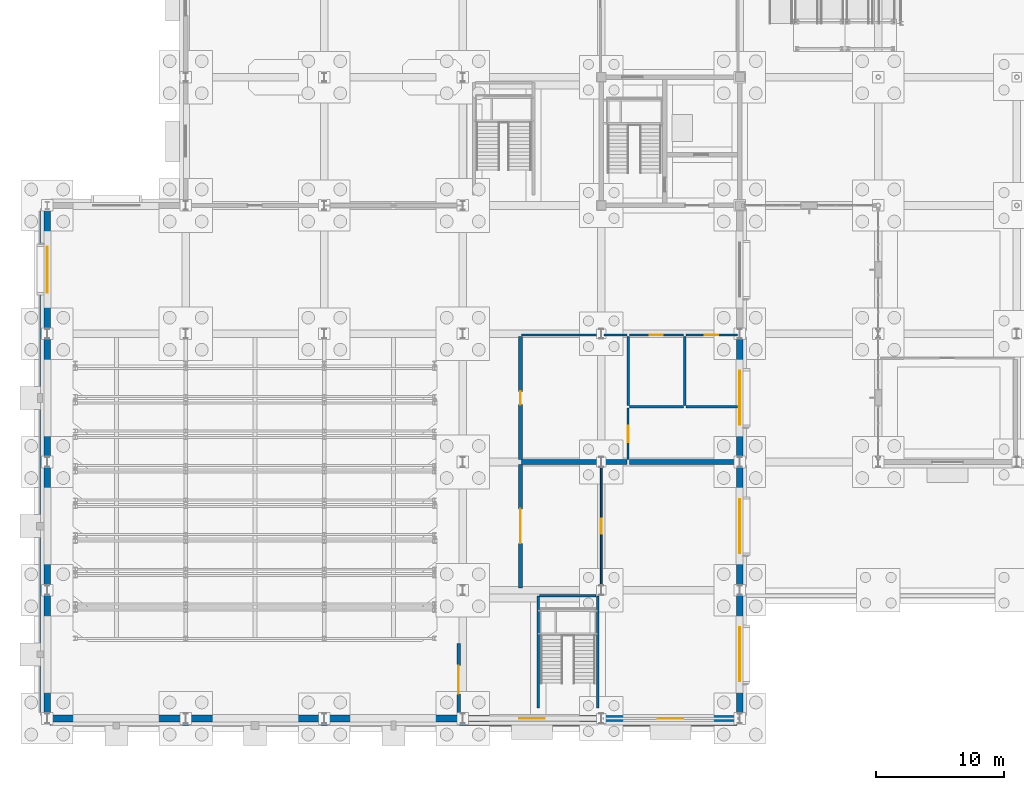
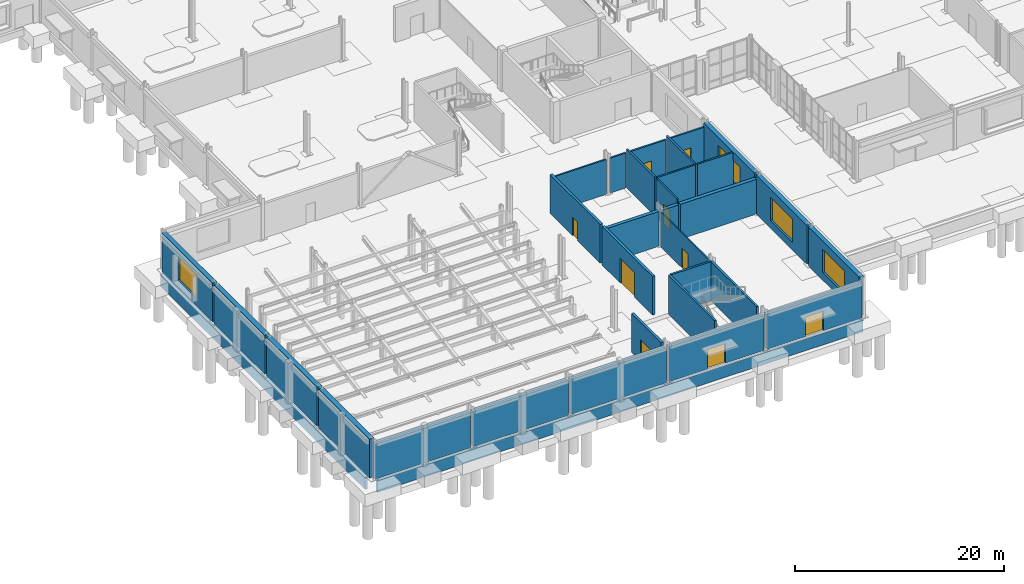
# One storey, part 51 of 73: 33 walls, 9 doors, 4 windows, 13 openings.
"""IFC4 building model written with IfcOpenShell, lengths in metres."""

from ifc_helpers import new_model, si_unit, direction, frame, frame_2d, origin, place, context, subcontext, project, spatial, rectangle, extrude, material, layer, layer_set, type_object, element, fill, save


model = new_model("IFC4")

# Units and contexts
model_context = context("Model", 3, precision=1e-05, world=origin(), true_north=direction((0.0, 1.0)))
body_context = subcontext(model_context, "Body", "Model", "MODEL_VIEW")
ifc_project = project(units=[si_unit("LENGTHUNIT", "METRE"), si_unit("AREAUNIT", "SQUARE_METRE"), si_unit("VOLUMEUNIT", "CUBIC_METRE"), si_unit("PLANEANGLEUNIT", "RADIAN"), si_unit("MASSUNIT", "GRAM", prefix="KILO")], contexts=[model_context])

# Site, building, storey
site_placement = place(None, origin())
site = spatial("IfcSite", under=ifc_project, at=site_placement, CompositionType="ELEMENT")
building_placement = place(site_placement, origin())
building = spatial("IfcBuilding", under=site, at=building_placement, Name="Tasgan Crest Museum", CompositionType="ELEMENT")
storey_placement = place(building_placement, origin())
storey = spatial("IfcBuildingStorey", under=building, at=storey_placement, Name="L00", CompositionType="ELEMENT", Elevation=0.0)

# Wall, opening, door
ifc_material_1 = material(Name="Double-Stud Acoustic Auditorium Wall")
ifc_layer_1 = layer(ifc_material_1, 0.280029296875, Name="WL-ACOUST-280")
ifc_layer_set_1 = layer_set([ifc_layer_1], Name="Double-Stud Acoustic Auditorium Wall")
wall_type_1 = type_object("IfcWallType", Name="WL-ACOUST-280", PredefinedType="SOLIDWALL", material=ifc_layer_set_1)
wall_1_placement = place(storey_placement, frame((32.074951171875, 0.179931640625, 0.0), z_axis=(0.0, 0.0, 1.0), x_axis=(0.0, 1.0, 0.0)))
wall_1 = element("IfcWall", 1, at=wall_1_placement, inside=storey, type_object=wall_type_1, Name="Partition Main Auditorium / Auditorium Stage Foyer L00", PredefinedType="SOLIDWALL", context=body_context, shape_type="SweptSolid", body=[
    extrude(rectangle(XDim=5.670166015625, YDim=0.280029296875, at=frame_2d((2.8349609375, 0.0))), origin(), (0.0, 0.0, 1.0), 4.52001953125),
])
opening_1_placement = place(wall_1_placement, frame((1.735107421875, 0.0, 0.0)))
opening_1 = element("IfcOpeningElement", 2, at=opening_1_placement, cuts=wall_1, Name="Opening D019", PredefinedType="OPENING", context=body_context, shape_type="SweptSolid", body=[
    extrude(rectangle(XDim=2.199951171875, YDim=2.5, at=frame_2d((1.10009765625, 1.25))), frame((0.0, 0.14990234375, 0.0), z_axis=(0.0, -1.0, 0.0), x_axis=(1.0, 0.0, 0.0)), (0.0, 0.0, 1.0), 0.300048828125),
])
ifc_material_2 = material(Name="Acoustic Double Auditorium Door")
door_type_1 = type_object("IfcDoorType", Name="DR-AUD-2200", OperationType="NOTDEFINED", PredefinedType="DOOR", material=ifc_material_2)
door_1_placement = place(opening_1_placement, origin())
door_1 = element("IfcDoor", 3, at=door_1_placement, inside=storey, type_object=door_type_1, Name="Main Auditorium door D019", OperationType="DOUBLE_DOOR_SINGLE_SWING", OverallHeight=2.5, OverallWidth=2.199951171875, PredefinedType="DOOR", context=body_context, shape_type="SweptSolid", body=[
    extrude(rectangle(XDim=2.199951171875, YDim=2.5, at=frame_2d((1.10009765625, 1.25))), frame((0.0, 0.02490234375, 0.0), z_axis=(0.0, -1.0, 0.0), x_axis=(1.0, 0.0, 0.0)), (0.0, 0.0, 1.0), 0.050048828125),
])
fill(opening_1, door_1)

wall_2_placement = place(storey_placement, frame((36.89990234375, 10.179931640625, 0.0), z_axis=(0.0, 0.0, 1.0), x_axis=(0.0, 1.0, 0.0)))
wall_2 = element("IfcWall", 4, at=wall_2_placement, inside=storey, type_object=wall_type_1, Name="Partition Auditorium Stage Foyer / Museum Shop L00", PredefinedType="SOLIDWALL", context=body_context, shape_type="SweptSolid", body=[
    extrude(rectangle(XDim=9.64013671875, YDim=0.280029296875, at=frame_2d((4.820068359375, 0.0))), origin(), (0.0, 0.0, 1.0), 4.52001953125),
])
opening_2_placement = place(wall_2_placement, frame((3.469970703125, 0.0, 0.0)))
opening_2 = element("IfcOpeningElement", 5, at=opening_2_placement, cuts=wall_2, Name="Opening D020", PredefinedType="OPENING", context=body_context, shape_type="SweptSolid", body=[
    extrude(rectangle(XDim=2.699951171875, YDim=2.85009765625, at=frame_2d((1.35009765625, 1.425048828125))), frame((0.0, 0.14990234375, 0.0), z_axis=(0.0, -1.0, 0.0), x_axis=(1.0, 0.0, 0.0)), (0.0, 0.0, 1.0), 0.300048828125),
])
ifc_material_3 = material(Name="Oak and Brushed Bronze Acoustic Door")
door_type_2 = type_object("IfcDoorType", Name="DR-SCH-20", OperationType="NOTDEFINED", PredefinedType="DOOR", material=ifc_material_3)
door_2_placement = place(opening_2_placement, origin())
door_2 = element("IfcDoor", 6, at=door_2_placement, inside=storey, type_object=door_type_2, Name="Museum Shop door D020", OperationType="DOUBLE_DOOR_SINGLE_SWING", OverallHeight=2.85009765625, OverallWidth=2.699951171875, PredefinedType="DOOR", context=body_context, shape_type="SweptSolid", body=[
    extrude(rectangle(XDim=2.699951171875, YDim=2.85009765625, at=frame_2d((1.35009765625, 1.425048828125))), frame((0.0, 0.02490234375, 0.0), z_axis=(0.0, -1.0, 0.0), x_axis=(1.0, 0.0, 0.0)), (0.0, 0.0, 1.0), 0.050048828125),
])
fill(opening_2, door_2)

wall_3_placement = place(storey_placement, frame((36.89990234375, 20.179931640625, 0.0), z_axis=(0.0, 0.0, 1.0), x_axis=(0.0, 1.0, 0.0)))
wall_3 = element("IfcWall", 7, at=wall_3_placement, inside=storey, type_object=wall_type_1, Name="Partition Auditorium Stage Foyer / Cafe Preparation Kitchen L00", PredefinedType="SOLIDWALL", context=body_context, shape_type="SweptSolid", body=[
    extrude(rectangle(XDim=9.6201171875, YDim=0.280029296875, at=frame_2d((4.81005859375, 0.0))), origin(), (0.0, 0.0, 1.0), 4.52001953125),
])
opening_3_placement = place(wall_3_placement, frame((4.300048828125, 0.0, 0.0)))
opening_3 = element("IfcOpeningElement", 8, at=opening_3_placement, cuts=wall_3, Name="Opening D021", PredefinedType="OPENING", context=body_context, shape_type="SweptSolid", body=[
    extrude(rectangle(XDim=1.02001953125, YDim=2.179931640625, at=frame_2d((0.510009765625, 1.08984375))), frame((0.0, 0.14990234375, 0.0), z_axis=(0.0, -1.0, 0.0), x_axis=(1.0, 0.0, 0.0)), (0.0, 0.0, 1.0), 0.300048828125),
])
ifc_material_4 = material(Name="Oak and Brushed Bronze Acoustic Door")
door_type_3 = type_object("IfcDoorType", Name="DR-SCH-21", OperationType="NOTDEFINED", PredefinedType="DOOR", material=ifc_material_4)
door_3_placement = place(opening_3_placement, origin())
door_3 = element("IfcDoor", 9, at=door_3_placement, inside=storey, type_object=door_type_3, Name="Cafe Preparation Kitchen door D021", OperationType="SINGLE_SWING_LEFT", OverallHeight=2.179931640625, OverallWidth=1.02001953125, PredefinedType="DOOR", context=body_context, shape_type="SweptSolid", body=[
    extrude(rectangle(XDim=1.02001953125, YDim=2.179931640625, at=frame_2d((0.510009765625, 1.08984375))), frame((0.0, 0.02490234375, 0.0), z_axis=(0.0, -1.0, 0.0), x_axis=(1.0, 0.0, 0.0)), (0.0, 0.0, 1.0), 0.050048828125),
])
fill(opening_3, door_3)

# Wall, opening, window
ifc_material_5 = material(Name="Precast concrete C40/50", Category="concrete")
ifc_layer_2 = layer(ifc_material_5, 0.47998046875, Name="WL-EXT-GRAN-480")
ifc_layer_set_2 = layer_set([ifc_layer_2], Name="Precast concrete C40/50")
wall_type_2 = type_object("IfcWallType", Name="WL-EXT-GRAN-480", PredefinedType="STANDARD", material=ifc_layer_set_2)
wall_4_placement = place(storey_placement, frame((0.0, 39.85498046875, 0.0), z_axis=(0.0, 0.0, 1.0), x_axis=(0.0, -1.0, 0.0)))
wall_4 = element("IfcWall", 10, at=wall_4_placement, inside=storey, type_object=wall_type_2, Name="Exterior wall L00 (0.0,35.0)", PredefinedType="STANDARD", context=body_context, shape_type="SweptSolid", body=[
    extrude(rectangle(XDim=9.7099609375, YDim=0.47998046875, at=frame_2d((4.85498046875, 0.0))), origin(), (0.0, 0.0, 1.0), 4.56005859375),
])
opening_4_placement = place(wall_4_placement, frame((3.054931640625, 0.0, 0.89990234375)))
opening_4 = element("IfcOpeningElement", 11, at=opening_4_placement, cuts=wall_4, Name="Opening W01", PredefinedType="OPENING", context=body_context, shape_type="SweptSolid", body=[
    extrude(rectangle(XDim=3.60009765625, YDim=2.800048828125, at=frame_2d((1.800048828125, 1.39990234375))), frame((0.0, 0.25, 0.0), z_axis=(0.0, -1.0, 0.0), x_axis=(1.0, 0.0, 0.0)), (0.0, 0.0, 1.0), 0.5),
])
ifc_material_6 = material(Name="Thermally Broken Triple-Glazed Aluminium", Category="aluminium")
window_type_1 = type_object("IfcWindowType", Name="WN-FOY-3600X2800", PartitioningType="SINGLE_PANEL", PredefinedType="WINDOW", material=ifc_material_6)
window_1_placement = place(opening_4_placement, origin())
window_1 = element("IfcWindow", 12, at=window_1_placement, inside=storey, type_object=window_type_1, Name="Window W01 L00-001", OverallHeight=2.800048828125, OverallWidth=3.60009765625, PartitioningType="SINGLE_PANEL", PredefinedType="WINDOW", context=body_context, shape_type="SweptSolid", body=[
    extrude(rectangle(XDim=3.60009765625, YDim=2.800048828125, at=frame_2d((1.800048828125, 1.39990234375))), frame((0.0, 0.030029296875, 0.0), z_axis=(0.0, -1.0, 0.0), x_axis=(1.0, 0.0, 0.0)), (0.0, 0.0, 1.0), 0.06005859375),
])
fill(opening_4, window_1)

# Wall, opening, door
wall_5_placement = place(storey_placement, frame((32.544921875, 0.0, 0.0), z_axis=(0.0, 0.0, 1.0), x_axis=(1.0, 0.0, 0.0)))
wall_5 = element("IfcWall", 13, at=wall_5_placement, inside=storey, type_object=wall_type_2, Name="Exterior wall L00 (37.8,0.0)", PredefinedType="STANDARD", context=body_context, shape_type="SweptSolid", body=[
    extrude(rectangle(XDim=10.510009765625, YDim=0.47998046875, at=frame_2d((5.2548828125, 0.0))), origin(), (0.0, 0.0, 1.0), 4.069091796875),
])
opening_5_placement = place(wall_5_placement, frame((4.2548828125, 0.0, 0.0)))
opening_5 = element("IfcOpeningElement", 14, at=opening_5_placement, cuts=wall_5, Name="Opening ED001", PredefinedType="OPENING", context=body_context, shape_type="SweptSolid", body=[
    extrude(rectangle(XDim=2.0, YDim=2.300048828125, at=frame_2d((1.0, 1.14990234375))), frame((0.0, 0.25, 0.0), z_axis=(0.0, -1.0, 0.0), x_axis=(1.0, 0.0, 0.0)), (0.0, 0.0, 1.0), 0.5),
])
ifc_material_7 = material(Name="Thermally Broken Insulated Steel and Bronze", Category="steel")
door_type_4 = type_object("IfcDoorType", Name="DR-EXT-EXIT-2000", OperationType="NOTDEFINED", PredefinedType="DOOR", material=ifc_material_7)
door_4_placement = place(opening_5_placement, frame((2.0, 0.0, 0.0), z_axis=(0.0, 0.0, 1.0), x_axis=(-1.0, 0.0, 0.0)))
door_4 = element("IfcDoor", 15, at=door_4_placement, inside=storey, type_object=door_type_4, Name="South forecourt exit door ED001", OperationType="DOUBLE_DOOR_SINGLE_SWING", OverallHeight=2.300048828125, OverallWidth=2.0, PredefinedType="DOOR", context=body_context, shape_type="SweptSolid", body=[
    extrude(rectangle(XDim=2.0, YDim=2.300048828125, at=frame_2d((1.0, 1.14990234375))), frame((0.0, 0.02490234375, 0.0), z_axis=(0.0, -1.0, 0.0), x_axis=(1.0, 0.0, 0.0)), (0.0, 0.0, 1.0), 0.050048828125),
])
fill(opening_5, door_4)

wall_6_placement = place(storey_placement, frame((43.344970703125, 0.0, 0.0), z_axis=(0.0, 0.0, 1.0), x_axis=(1.0, 0.0, 0.0)))
wall_6 = element("IfcWall", 16, at=wall_6_placement, inside=storey, type_object=wall_type_2, Name="Exterior wall L00 (48.6,0.0)", PredefinedType="STANDARD", context=body_context, shape_type="SweptSolid", body=[
    extrude(rectangle(XDim=10.510009765625, YDim=0.47998046875, at=frame_2d((5.2548828125, 0.0))), origin(), (0.0, 0.0, 1.0), 4.069091796875),
])
opening_6_placement = place(wall_6_placement, frame((4.2548828125, 0.0, 0.0)))
opening_6 = element("IfcOpeningElement", 17, at=opening_6_placement, cuts=wall_6, Name="Opening ED002", PredefinedType="OPENING", context=body_context, shape_type="SweptSolid", body=[
    extrude(rectangle(XDim=2.0, YDim=2.300048828125, at=frame_2d((1.0, 1.14990234375))), frame((0.0, 0.25, 0.0), z_axis=(0.0, -1.0, 0.0), x_axis=(1.0, 0.0, 0.0)), (0.0, 0.0, 1.0), 0.5),
])
door_5_placement = place(opening_6_placement, frame((2.0, 0.0, 0.0), z_axis=(0.0, 0.0, 1.0), x_axis=(-1.0, 0.0, 0.0)))
door_5 = element("IfcDoor", 18, at=door_5_placement, inside=storey, type_object=door_type_4, Name="South forecourt exit door ED002", OperationType="DOUBLE_DOOR_SINGLE_SWING", OverallHeight=2.300048828125, OverallWidth=2.0, PredefinedType="DOOR", context=body_context, shape_type="SweptSolid", body=[
    extrude(rectangle(XDim=2.0, YDim=2.300048828125, at=frame_2d((1.0, 1.14990234375))), frame((0.0, 0.02490234375, 0.0), z_axis=(0.0, -1.0, 0.0), x_axis=(1.0, 0.0, 0.0)), (0.0, 0.0, 1.0), 0.050048828125),
])
fill(opening_6, door_5)

# Wall, opening, window
wall_7_placement = place(storey_placement, frame((54.0, 0.14501953125, 0.0), z_axis=(0.0, 0.0, 1.0), x_axis=(0.0, 1.0, 0.0)))
wall_7 = element("IfcWall", 19, at=wall_7_placement, inside=storey, type_object=wall_type_2, Name="Exterior wall L00 (54.0,5.0)", PredefinedType="STANDARD", context=body_context, shape_type="SweptSolid", body=[
    extrude(rectangle(XDim=9.7099609375, YDim=0.47998046875, at=frame_2d((4.85498046875, 0.0))), origin(), (0.0, 0.0, 1.0), 4.56005859375),
])
opening_7_placement = place(wall_7_placement, frame((2.7548828125, 0.0, 0.89990234375)))
opening_7 = element("IfcOpeningElement", 20, at=opening_7_placement, cuts=wall_7, Name="Opening W03", PredefinedType="OPENING", context=body_context, shape_type="SweptSolid", body=[
    extrude(rectangle(XDim=4.199951171875, YDim=2.699951171875, at=frame_2d((2.10009765625, 1.35009765625))), frame((0.0, 0.25, 0.0), z_axis=(0.0, -1.0, 0.0), x_axis=(1.0, 0.0, 0.0)), (0.0, 0.0, 1.0), 0.5),
])
ifc_material_8 = material(Name="Thermally Broken Triple-Glazed Aluminium", Category="aluminium")
window_type_2 = type_object("IfcWindowType", Name="WN-CAFE-4200X2700", PartitioningType="SINGLE_PANEL", PredefinedType="WINDOW", material=ifc_material_8)
window_2_placement = place(opening_7_placement, origin())
window_2 = element("IfcWindow", 21, at=window_2_placement, inside=storey, type_object=window_type_2, Name="Window W03 L00-002", OverallHeight=2.699951171875, OverallWidth=4.199951171875, PartitioningType="SINGLE_PANEL", PredefinedType="WINDOW", context=body_context, shape_type="SweptSolid", body=[
    extrude(rectangle(XDim=4.199951171875, YDim=2.699951171875, at=frame_2d((2.10009765625, 1.35009765625))), frame((0.0, 0.030029296875, 0.0), z_axis=(0.0, -1.0, 0.0), x_axis=(1.0, 0.0, 0.0)), (0.0, 0.0, 1.0), 0.06005859375),
])
fill(opening_7, window_2)

wall_8_placement = place(storey_placement, frame((54.0, 10.14501953125, 0.0), z_axis=(0.0, 0.0, 1.0), x_axis=(0.0, 1.0, 0.0)))
wall_8 = element("IfcWall", 22, at=wall_8_placement, inside=storey, type_object=wall_type_2, Name="Exterior wall L00 (54.0,15.0)", PredefinedType="STANDARD", context=body_context, shape_type="SweptSolid", body=[
    extrude(rectangle(XDim=9.7099609375, YDim=0.47998046875, at=frame_2d((4.85498046875, 0.0))), origin(), (0.0, 0.0, 1.0), 4.56005859375),
])
opening_8_placement = place(wall_8_placement, frame((2.7548828125, 0.0, 0.89990234375)))
opening_8 = element("IfcOpeningElement", 23, at=opening_8_placement, cuts=wall_8, Name="Opening W03", PredefinedType="OPENING", context=body_context, shape_type="SweptSolid", body=[
    extrude(rectangle(XDim=4.199951171875, YDim=2.699951171875, at=frame_2d((2.10009765625, 1.35009765625))), frame((0.0, 0.25, 0.0), z_axis=(0.0, -1.0, 0.0), x_axis=(1.0, 0.0, 0.0)), (0.0, 0.0, 1.0), 0.5),
])
window_3_placement = place(opening_8_placement, origin())
window_3 = element("IfcWindow", 24, at=window_3_placement, inside=storey, type_object=window_type_2, Name="Window W03 L00-003", OverallHeight=2.699951171875, OverallWidth=4.199951171875, PartitioningType="SINGLE_PANEL", PredefinedType="WINDOW", context=body_context, shape_type="SweptSolid", body=[
    extrude(rectangle(XDim=4.199951171875, YDim=2.699951171875, at=frame_2d((2.10009765625, 1.35009765625))), frame((0.0, 0.030029296875, 0.0), z_axis=(0.0, -1.0, 0.0), x_axis=(1.0, 0.0, 0.0)), (0.0, 0.0, 1.0), 0.06005859375),
])
fill(opening_8, window_3)

wall_9_placement = place(storey_placement, frame((54.0, 20.14501953125, 0.0), z_axis=(0.0, 0.0, 1.0), x_axis=(0.0, 1.0, 0.0)))
wall_9 = element("IfcWall", 25, at=wall_9_placement, inside=storey, type_object=wall_type_2, Name="Exterior wall L00 (54.0,25.0)", PredefinedType="STANDARD", context=body_context, shape_type="SweptSolid", body=[
    extrude(rectangle(XDim=9.7099609375, YDim=0.47998046875, at=frame_2d((4.85498046875, 0.0))), origin(), (0.0, 0.0, 1.0), 4.56005859375),
])
opening_9_placement = place(wall_9_placement, frame((2.7548828125, 0.0, 0.89990234375)))
opening_9 = element("IfcOpeningElement", 26, at=opening_9_placement, cuts=wall_9, Name="Opening W03", PredefinedType="OPENING", context=body_context, shape_type="SweptSolid", body=[
    extrude(rectangle(XDim=4.199951171875, YDim=2.699951171875, at=frame_2d((2.10009765625, 1.35009765625))), frame((0.0, 0.25, 0.0), z_axis=(0.0, -1.0, 0.0), x_axis=(1.0, 0.0, 0.0)), (0.0, 0.0, 1.0), 0.5),
])
window_4_placement = place(opening_9_placement, origin())
window_4 = element("IfcWindow", 27, at=window_4_placement, inside=storey, type_object=window_type_2, Name="Window W03 L00-004", OverallHeight=2.699951171875, OverallWidth=4.199951171875, PartitioningType="SINGLE_PANEL", PredefinedType="WINDOW", context=body_context, shape_type="SweptSolid", body=[
    extrude(rectangle(XDim=4.199951171875, YDim=2.699951171875, at=frame_2d((2.10009765625, 1.35009765625))), frame((0.0, 0.030029296875, 0.0), z_axis=(0.0, -1.0, 0.0), x_axis=(1.0, 0.0, 0.0)), (0.0, 0.0, 1.0), 0.06005859375),
])
fill(opening_9, window_4)

# Walls
ifc_material_9 = material(Name="Concrete C40/50", Category="concrete")
ifc_layer_3 = layer(ifc_material_9, 0.52001953125, Name="WL-EXT-VAULT-520")
ifc_layer_set_3 = layer_set([ifc_layer_3], Name="Concrete C40/50")
wall_type_3 = type_object("IfcWallType", Name="WL-EXT-VAULT-520", PredefinedType="SOLIDWALL", material=ifc_layer_set_3)
for number, where, z_axis, x_axis, name in (
    (28, (0.0, 29.85498046875, 0.0), (0.0, 0.0, 1.0), (0.0, -1.0, 0.0), "Exterior wall L00 (0.0,25.0)"),
    (29, (0.0, 19.85498046875, 0.0), (0.0, 0.0, 1.0), (0.0, -1.0, 0.0), "Exterior wall L00 (0.0,15.0)"),
    (30, (0.0, 9.85498046875, 0.0), (0.0, 0.0, 1.0), (0.0, -1.0, 0.0), "Exterior wall L00 (0.0,5.0)"),
):
    element("IfcWall", number, at=place(storey_placement, frame(where, z_axis=z_axis, x_axis=x_axis)), inside=storey, type_object=wall_type_3, Name=name, PredefinedType="SOLIDWALL", context=body_context, shape_type="SweptSolid", body=[
        extrude(rectangle(XDim=9.7099609375, YDim=0.52001953125, at=frame_2d((4.85498046875, 0.0))), origin(), (0.0, 0.0, 1.0), 4.56005859375),
    ])
for number, where, z_axis, x_axis, name in (
    (31, (0.14501953125, 0.0, 0.0), (0.0, 0.0, 1.0), (1.0, 0.0, 0.0), "Exterior wall L00 (5.4,0.0)"),
    (32, (10.945068359375, 0.0, 0.0), (0.0, 0.0, 1.0), (1.0, 0.0, 0.0), "Exterior wall L00 (16.2,0.0)"),
):
    element("IfcWall", number, at=place(storey_placement, frame(where, z_axis=z_axis, x_axis=x_axis)), inside=storey, type_object=wall_type_3, Name=name, PredefinedType="SOLIDWALL", context=body_context, shape_type="SweptSolid", body=[
        extrude(rectangle(XDim=10.510009765625, YDim=0.52001953125, at=frame_2d((5.2548828125, 0.0))), origin(), (0.0, 0.0, 1.0), 4.069091796875),
    ])
wall_10_placement = place(storey_placement, frame((21.7451171875, 0.0, 0.0), z_axis=(0.0, 0.0, 1.0), x_axis=(1.0, 0.0, 0.0)))
element("IfcWall", 33, at=wall_10_placement, inside=storey, type_object=wall_type_3, Name="Exterior wall L00 (27.0,0.0)", PredefinedType="SOLIDWALL", context=body_context, shape_type="SweptSolid", body=[
    extrude(rectangle(XDim=10.509765625, YDim=0.52001953125, at=frame_2d((5.2548828125, 0.0))), origin(), (0.0, 0.0, 1.0), 4.069091796875),
])
ifc_material_10 = material(Name="Precast concrete C40/50", Category="concrete")
ifc_layer_4 = layer(ifc_material_10, 0.260009765625, Name="WL-PARAPET-260")
ifc_layer_set_4 = layer_set([ifc_layer_4], Name="Precast concrete C40/50")
wall_type_4 = type_object("IfcWallType", Name="WL-PARAPET-260", PredefinedType="PARAPET", material=ifc_layer_set_4)
wall_11_placement = place(storey_placement, frame((0.199951171875, -0.429931640625, -1.3798828125), z_axis=(0.0, 0.0, 1.0), x_axis=(1.0, 0.0, 0.0)))
element("IfcWall", 34, at=wall_11_placement, inside=storey, type_object=wall_type_4, Name="Stepped hillside stone plinth S-AUD", PredefinedType="PARAPET", context=body_context, shape_type="SweptSolid", body=[
    extrude(rectangle(XDim=53.60009765625, YDim=0.260009765625, at=frame_2d((26.800048828125, 0.0))), origin(), (0.0, 0.0, 1.0), 1.35986328125),
])
wall_12_placement = place(storey_placement, frame((-0.429931640625, 0.449951171875, -1.3798828125), z_axis=(0.0, 0.0, 1.0), x_axis=(0.0, 1.0, 0.0)))
element("IfcWall", 35, at=wall_12_placement, inside=storey, type_object=wall_type_4, Name="Stepped hillside stone plinth W-AUD", PredefinedType="PARAPET", context=body_context, shape_type="SweptSolid", body=[
    extrude(rectangle(XDim=39.10009765625, YDim=0.260009765625, at=frame_2d((19.550048828125, 0.0))), origin(), (0.0, 0.0, 1.0), 1.35986328125),
])

# Wall, opening, door
ifc_material_11 = material(Name="Sanitary Plumbing Chase Wall")
ifc_layer_5 = layer(ifc_material_11, 0.179931640625, Name="WL-PLUMB-180")
ifc_layer_set_5 = layer_set([ifc_layer_5], Name="Sanitary Plumbing Chase Wall")
wall_type_5 = type_object("IfcWallType", Name="WL-PLUMB-180", PredefinedType="PLUMBINGWALL", material=ifc_layer_set_5)
wall_13_placement = place(storey_placement, frame((45.39990234375, 29.89990234375, 0.0), z_axis=(0.0, 0.0, 1.0), x_axis=(1.0, 0.0, 0.0)))
wall_13 = element("IfcWall", 36, at=wall_13_placement, inside=storey, type_object=wall_type_5, Name="Partition Ground Public WC / South Foyer Promenade Corridor L00", PredefinedType="PLUMBINGWALL", context=body_context, shape_type="SweptSolid", body=[
    extrude(rectangle(XDim=4.2001953125, YDim=0.179931640625, at=frame_2d((2.10009765625, 0.0))), origin(), (0.0, 0.0, 1.0), 4.069091796875),
])
opening_10_placement = place(wall_13_placement, frame((1.590087890625, 0.0, 0.0)))
opening_10 = element("IfcOpeningElement", 37, at=opening_10_placement, cuts=wall_13, Name="Opening D002", PredefinedType="OPENING", context=body_context, shape_type="SweptSolid", body=[
    extrude(rectangle(XDim=1.02001953125, YDim=2.14990234375, at=frame_2d((0.510009765625, 1.074951171875))), frame((0.0, 0.099853515625, 0.0), z_axis=(0.0, -1.0, 0.0), x_axis=(1.0, 0.0, 0.0)), (0.0, 0.0, 1.0), 0.199951171875),
])
ifc_material_12 = material(Name="Oak and Brushed Bronze Acoustic Door")
door_type_5 = type_object("IfcDoorType", Name="DR-SCH-02", OperationType="NOTDEFINED", PredefinedType="DOOR", material=ifc_material_12)
door_6_placement = place(opening_10_placement, origin())
door_6 = element("IfcDoor", 38, at=door_6_placement, inside=storey, type_object=door_type_5, Name="Ground Public WC door D002", OperationType="SINGLE_SWING_LEFT", OverallHeight=2.14990234375, OverallWidth=1.02001953125, PredefinedType="DOOR", context=body_context, shape_type="SweptSolid", body=[
    extrude(rectangle(XDim=1.02001953125, YDim=2.14990234375, at=frame_2d((0.510009765625, 1.074951171875))), frame((0.0, 0.02490234375, 0.0), z_axis=(0.0, -1.0, 0.0), x_axis=(1.0, 0.0, 0.0)), (0.0, 0.0, 1.0), 0.050048828125),
])
fill(opening_10, door_6)

wall_14_placement = place(storey_placement, frame((49.800048828125, 29.89990234375, 0.0), z_axis=(0.0, 0.0, 1.0), x_axis=(1.0, 0.0, 0.0)))
wall_14 = element("IfcWall", 39, at=wall_14_placement, inside=storey, type_object=wall_type_5, Name="Partition Ground Accessible WC / South Foyer Promenade Corridor L00", PredefinedType="PLUMBINGWALL", context=body_context, shape_type="SweptSolid", body=[
    extrude(rectangle(XDim=4.02001953125, YDim=0.179931640625, at=frame_2d((2.010009765625, 0.0))), origin(), (0.0, 0.0, 1.0), 4.069091796875),
])
opening_11_placement = place(wall_14_placement, frame((1.485107421875, 0.0, 0.0)))
opening_11 = element("IfcOpeningElement", 40, at=opening_11_placement, cuts=wall_14, Name="Opening D003", PredefinedType="OPENING", context=body_context, shape_type="SweptSolid", body=[
    extrude(rectangle(XDim=1.050048828125, YDim=2.14990234375, at=frame_2d((0.52490234375, 1.074951171875))), frame((0.0, 0.099853515625, 0.0), z_axis=(0.0, -1.0, 0.0), x_axis=(1.0, 0.0, 0.0)), (0.0, 0.0, 1.0), 0.199951171875),
])
ifc_material_13 = material(Name="Accessible WC Outward-Opening Door")
door_type_6 = type_object("IfcDoorType", Name="DR-WC-ACC-1050", OperationType="NOTDEFINED", PredefinedType="DOOR", material=ifc_material_13)
door_7_placement = place(opening_11_placement, origin())
door_7 = element("IfcDoor", 41, at=door_7_placement, inside=storey, type_object=door_type_6, Name="Ground Accessible WC door D003", OperationType="SINGLE_SWING_RIGHT", OverallHeight=2.14990234375, OverallWidth=1.050048828125, PredefinedType="DOOR", context=body_context, shape_type="SweptSolid", body=[
    extrude(rectangle(XDim=1.050048828125, YDim=2.14990234375, at=frame_2d((0.52490234375, 1.074951171875))), frame((0.0, 0.02490234375, 0.0), z_axis=(0.0, -1.0, 0.0), x_axis=(1.0, 0.0, 0.0)), (0.0, 0.0, 1.0), 0.050048828125),
])
fill(opening_11, door_7)

# Walls
wall_15_placement = place(storey_placement, frame((45.39990234375, 24.300048828125, 0.0), z_axis=(0.0, 0.0, 1.0), x_axis=(1.0, 0.0, 0.0)))
element("IfcWall", 42, at=wall_15_placement, inside=storey, type_object=wall_type_5, Name="Partition Ground Public WC / Cafe Dry Pantry Studio L00", PredefinedType="PLUMBINGWALL", context=body_context, shape_type="SweptSolid", body=[
    extrude(rectangle(XDim=4.2001953125, YDim=0.179931640625, at=frame_2d((2.10009765625, 0.0))), origin(), (0.0, 0.0, 1.0), 4.52001953125),
])
wall_16_placement = place(storey_placement, frame((49.800048828125, 24.300048828125, 0.0), z_axis=(0.0, 0.0, 1.0), x_axis=(1.0, 0.0, 0.0)))
element("IfcWall", 43, at=wall_16_placement, inside=storey, type_object=wall_type_5, Name="Partition Ground Accessible WC / Cafe Dry Pantry Studio L00", PredefinedType="PLUMBINGWALL", context=body_context, shape_type="SweptSolid", body=[
    extrude(rectangle(XDim=4.02001953125, YDim=0.179931640625, at=frame_2d((2.010009765625, 0.0))), origin(), (0.0, 0.0, 1.0), 4.52001953125),
])
for number, where, z_axis, x_axis, name in (
    (44, (45.300048828125, 24.39990234375, 0.0), (0.0, 0.0, 1.0), (0.0, 1.0, 0.0), "Partition Cafe Preparation Kitchen / Ground Public WC L00"),
    (45, (49.699951171875, 24.39990234375, 0.0), (0.0, 0.0, 1.0), (0.0, 1.0, 0.0), "Partition Ground Public WC / Ground Accessible WC L00"),
):
    element("IfcWall", number, at=place(storey_placement, frame(where, z_axis=z_axis, x_axis=x_axis)), inside=storey, type_object=wall_type_5, Name=name, PredefinedType="PLUMBINGWALL", context=body_context, shape_type="SweptSolid", body=[
        extrude(rectangle(XDim=5.400146484375, YDim=0.179931640625, at=frame_2d((2.7001953125, 0.0))), origin(), (0.0, 0.0, 1.0), 4.52001953125),
    ])

# Wall, opening, door
ifc_material_14 = material(Name="Gypsum Acoustic Museum Partition")
ifc_layer_6 = layer(ifc_material_14, 0.1298828125, Name="WL-SCH-02")
ifc_layer_set_6 = layer_set([ifc_layer_6], Name="Gypsum Acoustic Museum Partition")
wall_type_6 = type_object("IfcWallType", Name="WL-SCH-02", PredefinedType="PARTITIONING", material=ifc_layer_set_6)
wall_17_placement = place(storey_placement, frame((43.199951171875, 10.179931640625, 0.0), z_axis=(0.0, 0.0, 1.0), x_axis=(0.0, 1.0, 0.0)))
wall_17 = element("IfcWall", 46, at=wall_17_placement, inside=storey, type_object=wall_type_6, Name="Partition Museum Shop / Steppe Cafe L00", PredefinedType="PARTITIONING", context=body_context, shape_type="SweptSolid", body=[
    extrude(rectangle(XDim=9.64013671875, YDim=0.1298828125, at=frame_2d((4.820068359375, 0.0))), origin(), (0.0, 0.0, 1.0), 4.06005859375),
])
opening_12_placement = place(wall_17_placement, frame((4.22998046875, 0.0, 0.0)))
opening_12 = element("IfcOpeningElement", 47, at=opening_12_placement, cuts=wall_17, Name="Opening D023", PredefinedType="OPENING", context=body_context, shape_type="SweptSolid", body=[
    extrude(rectangle(XDim=1.179931640625, YDim=2.280029296875, at=frame_2d((0.58984375, 1.14013671875))), frame((0.0, 0.074951171875, 0.0), z_axis=(0.0, -1.0, 0.0), x_axis=(1.0, 0.0, 0.0)), (0.0, 0.0, 1.0), 0.14990234375),
])
ifc_material_15 = material(Name="Oak and Brushed Bronze Acoustic Door")
door_type_7 = type_object("IfcDoorType", Name="DR-SCH-23", OperationType="NOTDEFINED", PredefinedType="DOOR", material=ifc_material_15)
door_8_placement = place(opening_12_placement, origin())
door_8 = element("IfcDoor", 48, at=door_8_placement, inside=storey, type_object=door_type_7, Name="Steppe Cafe door D023", OperationType="SINGLE_SWING_LEFT", OverallHeight=2.280029296875, OverallWidth=1.179931640625, PredefinedType="DOOR", context=body_context, shape_type="SweptSolid", body=[
    extrude(rectangle(XDim=1.179931640625, YDim=2.280029296875, at=frame_2d((0.58984375, 1.14013671875))), frame((0.0, 0.02490234375, 0.0), z_axis=(0.0, -1.0, 0.0), x_axis=(1.0, 0.0, 0.0)), (0.0, 0.0, 1.0), 0.050048828125),
])
fill(opening_12, door_8)

ifc_material_16 = material(Name="Gypsum Acoustic Museum Partition")
ifc_layer_7 = layer(ifc_material_16, 0.14990234375, Name="WL-SCH-03")
ifc_layer_set_7 = layer_set([ifc_layer_7], Name="Gypsum Acoustic Museum Partition")
wall_type_7 = type_object("IfcWallType", Name="WL-SCH-03", PredefinedType="PARTITIONING", material=ifc_layer_set_7)
wall_18_placement = place(storey_placement, frame((45.300048828125, 20.179931640625, 0.0), z_axis=(0.0, 0.0, 1.0), x_axis=(0.0, 1.0, 0.0)))
wall_18 = element("IfcWall", 49, at=wall_18_placement, inside=storey, type_object=wall_type_7, Name="Partition Cafe Preparation Kitchen / Cafe Dry Pantry Studio L00", PredefinedType="PARTITIONING", context=body_context, shape_type="SweptSolid", body=[
    extrude(rectangle(XDim=4.02001953125, YDim=0.14990234375, at=frame_2d((2.010009765625, 0.0))), origin(), (0.0, 0.0, 1.0), 4.52001953125),
])
opening_13_placement = place(wall_18_placement, frame((1.3701171875, 0.0, 0.0)))
opening_13 = element("IfcOpeningElement", 50, at=opening_13_placement, cuts=wall_18, Name="Opening D024", PredefinedType="OPENING", context=body_context, shape_type="SweptSolid", body=[
    extrude(rectangle(XDim=1.280029296875, YDim=2.320068359375, at=frame_2d((0.64013671875, 1.16015625))), frame((0.0, 0.0849609375, 0.0), z_axis=(0.0, -1.0, 0.0), x_axis=(1.0, 0.0, 0.0)), (0.0, 0.0, 1.0), 0.169921875),
])
ifc_material_17 = material(Name="Oak and Brushed Bronze Acoustic Door")
door_type_8 = type_object("IfcDoorType", Name="DR-SCH-24", OperationType="NOTDEFINED", PredefinedType="DOOR", material=ifc_material_17)
door_9_placement = place(opening_13_placement, origin())
door_9 = element("IfcDoor", 51, at=door_9_placement, inside=storey, type_object=door_type_8, Name="Cafe Dry Pantry Studio door D024", OperationType="SINGLE_SWING_RIGHT", OverallHeight=2.320068359375, OverallWidth=1.280029296875, PredefinedType="DOOR", context=body_context, shape_type="SweptSolid", body=[
    extrude(rectangle(XDim=1.280029296875, YDim=2.320068359375, at=frame_2d((0.64013671875, 1.16015625))), frame((0.0, 0.02490234375, 0.0), z_axis=(0.0, -1.0, 0.0), x_axis=(1.0, 0.0, 0.0)), (0.0, 0.0, 1.0), 0.050048828125),
])
fill(opening_13, door_9)

# Walls
ifc_material_18 = material(Name="Gypsum Acoustic Museum Partition")
ifc_layer_8 = layer(ifc_material_18, 0.169921875, Name="WL-SCH-04")
ifc_layer_set_8 = layer_set([ifc_layer_8], Name="Gypsum Acoustic Museum Partition")
wall_type_8 = type_object("IfcWallType", Name="WL-SCH-04", PredefinedType="PARTITIONING", material=ifc_layer_set_8)
wall_19_placement = place(storey_placement, frame((37.0, 29.89990234375, 0.0), z_axis=(0.0, 0.0, 1.0), x_axis=(1.0, 0.0, 0.0)))
element("IfcWall", 52, at=wall_19_placement, inside=storey, type_object=wall_type_8, Name="Partition Cafe Preparation Kitchen / South Foyer Promenade Corridor L00", PredefinedType="PARTITIONING", context=body_context, shape_type="SweptSolid", body=[
    extrude(rectangle(XDim=6.0, YDim=0.169921875, at=frame_2d((3.0, 0.0))), origin(), (0.0, 0.0, 1.0), 4.069091796875),
])
wall_20_placement = place(storey_placement, frame((43.39990234375, 29.89990234375, 0.0), z_axis=(0.0, 0.0, 1.0), x_axis=(1.0, 0.0, 0.0)))
element("IfcWall", 53, at=wall_20_placement, inside=storey, type_object=wall_type_8, Name="Partition Cafe Preparation Kitchen / South Foyer Promenade Corridor L00", PredefinedType="PARTITIONING", context=body_context, shape_type="SweptSolid", body=[
    extrude(rectangle(XDim=1.800048828125, YDim=0.169921875, at=frame_2d((0.89990234375, 0.0))), origin(), (0.0, 0.0, 1.0), 4.069091796875),
])
ifc_material_19 = material(Name="Gypsum Acoustic Museum Partition")
ifc_layer_9 = layer(ifc_material_19, 0.3701171875, Name="WL-SCH-12")
ifc_layer_set_9 = layer_set([ifc_layer_9], Name="Gypsum Acoustic Museum Partition")
wall_type_9 = type_object("IfcWallType", Name="WL-SCH-12", PredefinedType="PARTITIONING", material=ifc_layer_set_9)
wall_21_placement = place(storey_placement, frame((37.0, 20.0, 0.0), z_axis=(0.0, 0.0, 1.0), x_axis=(1.0, 0.0, 0.0)))
element("IfcWall", 54, at=wall_21_placement, inside=storey, type_object=wall_type_9, Name="Partition Museum Shop / Cafe Preparation Kitchen L00", PredefinedType="PARTITIONING", context=body_context, shape_type="SweptSolid", body=[
    extrude(rectangle(XDim=6.02001953125, YDim=0.3701171875, at=frame_2d((3.010009765625, 0.0))), origin(), (0.0, 0.0, 1.0), 4.069091796875),
])
ifc_material_20 = material(Name="Gypsum Acoustic Museum Partition")
ifc_layer_10 = layer(ifc_material_20, 0.389892578125, Name="WL-SCH-13")
ifc_layer_set_10 = layer_set([ifc_layer_10], Name="Gypsum Acoustic Museum Partition")
wall_type_10 = type_object("IfcWallType", Name="WL-SCH-13", PredefinedType="PARTITIONING", material=ifc_layer_set_10)
wall_22_placement = place(storey_placement, frame((43.3798828125, 20.0, 0.0), z_axis=(0.0, 0.0, 1.0), x_axis=(1.0, 0.0, 0.0)))
element("IfcWall", 55, at=wall_22_placement, inside=storey, type_object=wall_type_10, Name="Partition Steppe Cafe / Cafe Preparation Kitchen L00", PredefinedType="PARTITIONING", context=body_context, shape_type="SweptSolid", body=[
    extrude(rectangle(XDim=1.820068359375, YDim=0.389892578125, at=frame_2d((0.91015625, 0.0))), origin(), (0.0, 0.0, 1.0), 4.069091796875),
])
ifc_material_21 = material(Name="Gypsum Acoustic Museum Partition")
ifc_layer_11 = layer(ifc_material_21, 0.409912109375, Name="WL-SCH-14")
ifc_layer_set_11 = layer_set([ifc_layer_11], Name="Gypsum Acoustic Museum Partition")
wall_type_11 = type_object("IfcWallType", Name="WL-SCH-14", PredefinedType="PARTITIONING", material=ifc_layer_set_11)
wall_23_placement = place(storey_placement, frame((45.39990234375, 20.0, 0.0), z_axis=(0.0, 0.0, 1.0), x_axis=(1.0, 0.0, 0.0)))
element("IfcWall", 56, at=wall_23_placement, inside=storey, type_object=wall_type_11, Name="Partition Steppe Cafe / Cafe Dry Pantry Studio L00", PredefinedType="PARTITIONING", context=body_context, shape_type="SweptSolid", body=[
    extrude(rectangle(XDim=8.420166015625, YDim=0.409912109375, at=frame_2d((4.2099609375, 0.0))), origin(), (0.0, 0.0, 1.0), 4.069091796875),
])
ifc_material_22 = material(Name="Concrete C40/50", Category="concrete")
ifc_layer_12 = layer(ifc_material_22, 0.219970703125, Name="WL-SHAFT-220")
ifc_layer_set_12 = layer_set([ifc_layer_12], Name="Concrete C40/50")
wall_type_12 = type_object("IfcWallType", Name="WL-SHAFT-220", PredefinedType="SHEAR", material=ifc_layer_set_12)
for number, where, z_axis, x_axis, name in (
    (57, (38.280029296875, 0.800048828125, 0.0), (0.0, 0.0, 1.0), (0.0, 1.0, 0.0), "FOYS stairwell wall L00 W"),
    (58, (42.919921875, 0.800048828125, 0.0), (0.0, 0.0, 1.0), (0.0, 1.0, 0.0), "FOYS stairwell wall L00 E"),
):
    element("IfcWall", number, at=place(storey_placement, frame(where, z_axis=z_axis, x_axis=x_axis)), inside=storey, type_object=wall_type_12, Name=name, PredefinedType="SHEAR", context=body_context, shape_type="SweptSolid", body=[
        extrude(rectangle(XDim=8.77001953125, YDim=0.219970703125, at=frame_2d((4.385009765625, 0.0))), origin(), (0.0, 0.0, 1.0), 4.56005859375),
    ])
wall_24_placement = place(storey_placement, frame((38.39990234375, 9.570068359375, 0.0), z_axis=(0.0, 0.0, 1.0), x_axis=(1.0, 0.0, 0.0)))
element("IfcWall", 59, at=wall_24_placement, inside=storey, type_object=wall_type_12, Name="FOYS stairwell wall L00 N", PredefinedType="SHEAR", context=body_context, shape_type="SweptSolid", body=[
    extrude(rectangle(XDim=4.400146484375, YDim=0.219970703125, at=frame_2d((2.2001953125, 0.0))), origin(), (0.0, 0.0, 1.0), 4.56005859375),
])

save(model, "model.ifc")
